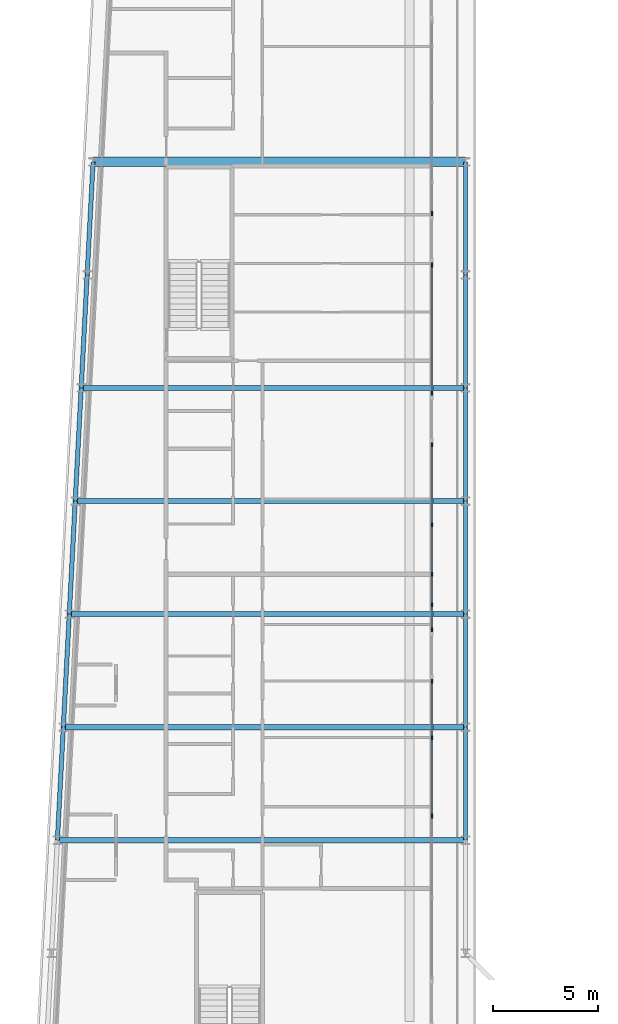
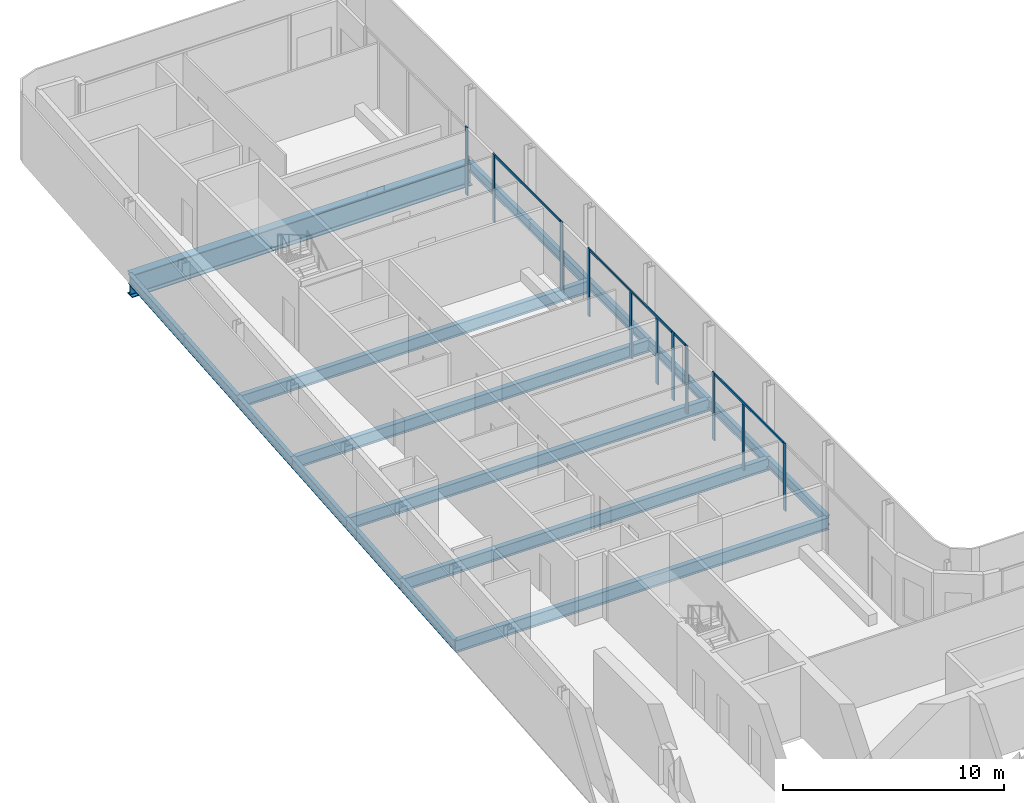
# One storey, part 7 of 21: 18 beams, 15 members, 5 elements without a shape of their own.
"""IFC4 building model written with IfcOpenShell, lengths in metres."""

from ifc_helpers import new_model, si_unit, direction, frame, origin, origin_2d, place, context, subcontext, project, spatial, rectangle, i_section, extrude, material, layer, layer_set, material_profile, profile_set, type_object, element, aggregate, save


model = new_model("IFC4")

# Units and contexts
model_context = context("Model", 3, precision=1e-05, world=origin(), true_north=direction((0.0, 1.0)))
body_context = subcontext(model_context, "Body", "Model", "MODEL_VIEW")
ifc_project = project(units=[si_unit("LENGTHUNIT", "METRE"), si_unit("AREAUNIT", "SQUARE_METRE"), si_unit("VOLUMEUNIT", "CUBIC_METRE"), si_unit("PLANEANGLEUNIT", "RADIAN"), si_unit("MASSUNIT", "GRAM", prefix="KILO")], contexts=[model_context])

# Site, building, storey
site_placement = place(None, origin())
site = spatial("IfcSite", under=ifc_project, at=site_placement, CompositionType="ELEMENT")
building_placement = place(site_placement, origin())
building = spatial("IfcBuilding", under=site, at=building_placement, Name="Kheshtan School and Residences Tower", CompositionType="ELEMENT")
storey_placement = place(building_placement, frame((0.0, 0.0, 309.800048828125)))
storey = spatial("IfcBuildingStorey", under=building, at=storey_placement, Name="L73", CompositionType="ELEMENT", Elevation=309.800048828125)

# Beams
ifc_material_1 = material(Name="Steel ASTM A992 Grade 50", Category="steel")
ifc_material_profile_1 = material_profile(ifc_material_1, i_section(OverallWidth=0.2529296875, OverallDepth=0.677978515625, WebThickness=0.01171875, FlangeThickness=0.016357421875, FilletRadius=0.0146484375, at=origin_2d()), Name="W690x125")
ifc_profile_set_1 = profile_set([ifc_material_profile_1], Name="Steel ASTM A992 Grade 50")
beam_type_1 = type_object("IfcBeamType", Name="Beam FB6 W690x125 ASTM A992 Grade 50", PredefinedType="BEAM", material=ifc_profile_set_1)
beam_1_placement = place(storey_placement, frame((47.60009765625, 78.0, -0.489013671875), z_axis=(-1.0, 0.0, 0.0), x_axis=(0.0, -1.0, 0.0)))
element("IfcBeam", 1, at=beam_1_placement, inside=storey, type_object=beam_type_1, Name="Floor beam C089", PredefinedType="BEAM", context=body_context, shape_type="SweptSolid", body=[
    extrude(i_section(OverallWidth=0.2529296875, OverallDepth=0.677978515625, WebThickness=0.01171875, FlangeThickness=0.016357421875, FilletRadius=0.0146484375, at=origin_2d()), origin(), (0.0, 0.0, 1.0), 18.357177734375),
])
beam_2_placement = place(storey_placement, frame((47.60009765625, 67.199951171875, -0.489013671875), z_axis=(-1.0, 0.0, 0.0), x_axis=(0.0, -1.0, 0.0)))
element("IfcBeam", 2, at=beam_2_placement, inside=storey, type_object=beam_type_1, Name="Floor beam C085", PredefinedType="BEAM", context=body_context, shape_type="SweptSolid", body=[
    extrude(i_section(OverallWidth=0.2529296875, OverallDepth=0.677978515625, WebThickness=0.01171875, FlangeThickness=0.016357421875, FilletRadius=0.0146484375, at=origin_2d()), origin(), (0.0, 0.0, 1.0), 18.926025390625),
])
beam_3_placement = place(storey_placement, frame((47.60009765625, 56.39990234375, -0.489013671875), z_axis=(-1.0, 0.0, 0.0), x_axis=(0.0, -1.0, 0.0)))
element("IfcBeam", 3, at=beam_3_placement, inside=storey, type_object=beam_type_1, Name="Floor beam C081", PredefinedType="BEAM", context=body_context, shape_type="SweptSolid", body=[
    extrude(i_section(OverallWidth=0.2529296875, OverallDepth=0.677978515625, WebThickness=0.01171875, FlangeThickness=0.016357421875, FilletRadius=0.0146484375, at=origin_2d()), origin(), (0.0, 0.0, 1.0), 19.494140625),
])
beam_4_placement = place(storey_placement, frame((28.389892578125, 61.800048828125, -0.489013671875), z_axis=(1.0, 0.0, 0.0), x_axis=(0.0, 1.0, 0.0)))
element("IfcBeam", 4, at=beam_4_placement, inside=storey, type_object=beam_type_1, Name="Floor beam C082", PredefinedType="BEAM", context=body_context, shape_type="SweptSolid", body=[
    extrude(i_section(OverallWidth=0.2529296875, OverallDepth=0.677978515625, WebThickness=0.01171875, FlangeThickness=0.016357421875, FilletRadius=0.0146484375, at=origin_2d()), origin(), (0.0, 0.0, 1.0), 19.210205078125),
])
beam_5_placement = place(storey_placement, frame((28.9580078125, 72.60009765625, -0.489013671875), z_axis=(1.0, 0.0, 0.0), x_axis=(0.0, 1.0, 0.0)))
element("IfcBeam", 5, at=beam_5_placement, inside=storey, type_object=beam_type_1, Name="Floor beam C086", PredefinedType="BEAM", context=body_context, shape_type="SweptSolid", body=[
    extrude(i_section(OverallWidth=0.2529296875, OverallDepth=0.677978515625, WebThickness=0.01171875, FlangeThickness=0.016357421875, FilletRadius=0.0146484375, at=origin_2d()), origin(), (0.0, 0.0, 1.0), 18.64208984375),
])
ifc_material_profile_2 = material_profile(ifc_material_1, i_section(OverallWidth=0.208984375, OverallDepth=0.532958984375, WebThickness=0.01025390625, FlangeThickness=0.015625, FilletRadius=0.013916015625, at=origin_2d()), Name="W530x92")
ifc_profile_set_2 = profile_set([ifc_material_profile_2], Name="Steel ASTM A992 Grade 50")
beam_type_2 = type_object("IfcBeamType", Name="Beam SP3 W530x92 ASTM A992 Grade 50", PredefinedType="BEAM", material=ifc_profile_set_2)
beam_6_placement = place(storey_placement, frame((47.60009765625, 88.800048828125, -0.41650390625), z_axis=(0.0, -1.0, 0.0), x_axis=(1.0, 0.0, 0.0)))
element("IfcBeam", 6, at=beam_6_placement, inside=storey, type_object=beam_type_2, Name="Spandrel beam C099-C091", PredefinedType="BEAM", context=body_context, shape_type="SweptSolid", body=[
    extrude(i_section(OverallWidth=0.208984375, OverallDepth=0.532958984375, WebThickness=0.01025390625, FlangeThickness=0.015625, FilletRadius=0.013916015625, at=origin_2d()), origin(), (0.0, 0.0, 1.0), 5.400146484375),
])
for number, where, z_axis, x_axis, name in (
    (7, (47.60009765625, 83.39990234375, -0.41650390625), (0.0, -1.0, 0.0), (1.0, 0.0, 0.0), "Spandrel beam C091-C089"),
    (8, (47.60009765625, 78.0, -0.41650390625), (0.0, -1.0, 0.0), (1.0, 0.0, 0.0), "Spandrel beam C089-C087"),
):
    element("IfcBeam", number, at=place(storey_placement, frame(where, z_axis=z_axis, x_axis=x_axis)), inside=storey, type_object=beam_type_2, Name=name, PredefinedType="BEAM", context=body_context, shape_type="SweptSolid", body=[
        extrude(i_section(OverallWidth=0.208984375, OverallDepth=0.532958984375, WebThickness=0.01025390625, FlangeThickness=0.015625, FilletRadius=0.013916015625, at=origin_2d()), origin(), (0.0, 0.0, 1.0), 5.39990234375),
    ])
beam_7_placement = place(storey_placement, frame((47.60009765625, 72.60009765625, -0.41650390625), z_axis=(0.0, -1.0, 0.0), x_axis=(1.0, 0.0, 0.0)))
element("IfcBeam", 9, at=beam_7_placement, inside=storey, type_object=beam_type_2, Name="Spandrel beam C087-C085", PredefinedType="BEAM", context=body_context, shape_type="SweptSolid", body=[
    extrude(i_section(OverallWidth=0.208984375, OverallDepth=0.532958984375, WebThickness=0.01025390625, FlangeThickness=0.015625, FilletRadius=0.013916015625, at=origin_2d()), origin(), (0.0, 0.0, 1.0), 5.400146484375),
])
beam_8_placement = place(storey_placement, frame((47.60009765625, 67.199951171875, -0.41650390625), z_axis=(0.0, -1.0, 0.0), x_axis=(1.0, 0.0, 0.0)))
element("IfcBeam", 10, at=beam_8_placement, inside=storey, type_object=beam_type_2, Name="Spandrel beam C085-C083", PredefinedType="BEAM", context=body_context, shape_type="SweptSolid", body=[
    extrude(i_section(OverallWidth=0.208984375, OverallDepth=0.532958984375, WebThickness=0.01025390625, FlangeThickness=0.015625, FilletRadius=0.013916015625, at=origin_2d()), origin(), (0.0, 0.0, 1.0), 5.39990234375),
])
beam_9_placement = place(storey_placement, frame((47.60009765625, 61.800048828125, -0.41650390625), z_axis=(0.0, -1.0, 0.0), x_axis=(1.0, 0.0, 0.0)))
element("IfcBeam", 11, at=beam_9_placement, inside=storey, type_object=beam_type_2, Name="Spandrel beam C083-C081", PredefinedType="BEAM", context=body_context, shape_type="SweptSolid", body=[
    extrude(i_section(OverallWidth=0.208984375, OverallDepth=0.532958984375, WebThickness=0.01025390625, FlangeThickness=0.015625, FilletRadius=0.013916015625, at=origin_2d()), origin(), (0.0, 0.0, 1.0), 5.400146484375),
])
beam_10_placement = place(storey_placement, frame((28.10595703125, 56.39990234375, -0.41650390625), z_axis=(0.05250670125, 0.998620571751, 0.0), x_axis=(-0.998620571751, 0.05250670125, 0.0)))
element("IfcBeam", 12, at=beam_10_placement, inside=storey, type_object=beam_type_2, Name="Spandrel beam C080-C082", PredefinedType="BEAM", context=body_context, shape_type="SweptSolid", body=[
    extrude(i_section(OverallWidth=0.208984375, OverallDepth=0.532958984375, WebThickness=0.01025390625, FlangeThickness=0.015625, FilletRadius=0.013916015625, at=origin_2d()), origin(), (0.0, 0.0, 1.0), 5.40771484375),
])
beam_11_placement = place(storey_placement, frame((28.389892578125, 61.800048828125, -0.41650390625), z_axis=(0.052554093665, 0.998618078766, 0.0), x_axis=(-0.998618078766, 0.052554093665, 0.0)))
element("IfcBeam", 13, at=beam_11_placement, inside=storey, type_object=beam_type_2, Name="Spandrel beam C082-C084", PredefinedType="BEAM", context=body_context, shape_type="SweptSolid", body=[
    extrude(i_section(OverallWidth=0.208984375, OverallDepth=0.532958984375, WebThickness=0.01025390625, FlangeThickness=0.015625, FilletRadius=0.013916015625, at=origin_2d()), origin(), (0.0, 0.0, 1.0), 5.407470703125),
])
beam_12_placement = place(storey_placement, frame((28.674072265625, 67.199951171875, -0.41650390625), z_axis=(0.05250670125, 0.998620571751, 0.0), x_axis=(-0.998620571751, 0.05250670125, 0.0)))
element("IfcBeam", 14, at=beam_12_placement, inside=storey, type_object=beam_type_2, Name="Spandrel beam C084-C086", PredefinedType="BEAM", context=body_context, shape_type="SweptSolid", body=[
    extrude(i_section(OverallWidth=0.208984375, OverallDepth=0.532958984375, WebThickness=0.01025390625, FlangeThickness=0.015625, FilletRadius=0.013916015625, at=origin_2d()), origin(), (0.0, 0.0, 1.0), 5.40771484375),
])
for number, where, z_axis, x_axis, name in (
    (15, (28.9580078125, 72.60009765625, -0.41650390625), (0.052689166816, 0.998610961136, 0.0), (-0.998610961136, 0.052689166816, 0.0), "Spandrel beam C086-C088"),
    (16, (29.242919921875, 78.0, -0.41650390625), (0.052554093665, 0.998618078766, 0.0), (-0.998618078766, 0.052554093665, 0.0), "Spandrel beam C088-C090"),
):
    element("IfcBeam", number, at=place(storey_placement, frame(where, z_axis=z_axis, x_axis=x_axis)), inside=storey, type_object=beam_type_2, Name=name, PredefinedType="BEAM", context=body_context, shape_type="SweptSolid", body=[
        extrude(i_section(OverallWidth=0.208984375, OverallDepth=0.532958984375, WebThickness=0.01025390625, FlangeThickness=0.015625, FilletRadius=0.013916015625, at=origin_2d()), origin(), (0.0, 0.0, 1.0), 5.407470703125),
    ])
beam_13_placement = place(storey_placement, frame((29.527099609375, 83.39990234375, -0.41650390625), z_axis=(0.05250670125, 0.998620571751, 0.0), x_axis=(-0.998620571751, 0.05250670125, 0.0)))
element("IfcBeam", 17, at=beam_13_placement, inside=storey, type_object=beam_type_2, Name="Spandrel beam C090-C098", PredefinedType="BEAM", context=body_context, shape_type="SweptSolid", body=[
    extrude(i_section(OverallWidth=0.208984375, OverallDepth=0.532958984375, WebThickness=0.01025390625, FlangeThickness=0.015625, FilletRadius=0.013916015625, at=origin_2d()), origin(), (0.0, 0.0, 1.0), 5.40771484375),
])

# Curtain wall, member
ifc_material_2 = material(Name="Clear low-e glass in thermally broken aluminium frame", Category="aluminium")
ifc_layer = layer(ifc_material_2, 0.199951171875)
ifc_layer_set = layer_set([ifc_layer], Name="Curtain wall CW-L")
curtain_wall_type = type_object("IfcCurtainWallType", Name="Curtain wall CW-L", PredefinedType="NOTDEFINED", material=ifc_layer_set)
curtain_wall_1_placement = place(storey_placement, origin())
curtain_wall_1 = element("IfcCurtainWall", 18, at=curtain_wall_1_placement, inside=storey, type_object=curtain_wall_type, Name="Curtain wall CWL8a", PredefinedType="NOTDEFINED")
ifc_material_3 = material(Name="Thermally broken aluminium, dark bronze anodised", Category="aluminium")
ifc_material_profile_3 = material_profile(ifc_material_3, rectangle(XDim=0.06005859375, YDim=0.199951171875, at=origin_2d()), Name="CW-L mullion 60x200")
ifc_profile_set_3 = profile_set([ifc_material_profile_3], Name="Thermally broken aluminium, dark bronze anodised")
member_type_1 = type_object("IfcMemberType", Name="CW-L mullion 60x200", PredefinedType="MULLION", material=ifc_profile_set_3)
member_1_placement = place(storey_placement, frame((46.0, 86.3359375, 0.0), z_axis=(0.0, 0.0, 1.0), x_axis=(1.0, 0.0, 0.0)))
member_1 = element("IfcMember", 19, at=member_1_placement, type_object=member_type_1, Name="CWL8a mullion 2", PredefinedType="MULLION", context=body_context, shape_type="SweptSolid", body=[
    extrude(rectangle(XDim=0.06005859375, YDim=0.199951171875, at=origin_2d()), origin(), (0.0, 0.0, 1.0), 3.75),
])
aggregate(curtain_wall_1, [member_1])

# Curtain wall, members
curtain_wall_2_placement = place(storey_placement, origin())
curtain_wall_2 = element("IfcCurtainWall", 20, at=curtain_wall_2_placement, inside=storey, type_object=curtain_wall_type, Name="Curtain wall CWL8d", PredefinedType="NOTDEFINED")
member_2_placement = place(storey_placement, frame((46.0, 83.8759765625, 0.0), z_axis=(0.0, 0.0, 1.0), x_axis=(1.0, 0.0, 0.0)))
member_2 = element("IfcMember", 21, at=member_2_placement, type_object=member_type_1, Name="CWL8d mullion 1", PredefinedType="MULLION", context=body_context, shape_type="SweptSolid", body=[
    extrude(rectangle(XDim=0.06005859375, YDim=0.199951171875, at=origin_2d()), origin(), (0.0, 0.0, 1.0), 3.75),
])
member_3_placement = place(storey_placement, frame((46.0, 77.741943359375, 0.0), z_axis=(0.0, 0.0, 1.0), x_axis=(1.0, 0.0, 0.0)))
member_3 = element("IfcMember", 22, at=member_3_placement, type_object=member_type_1, Name="CWL8d mullion 2", PredefinedType="MULLION", context=body_context, shape_type="SweptSolid", body=[
    extrude(rectangle(XDim=0.06005859375, YDim=0.199951171875, at=origin_2d()), origin(), (0.0, 0.0, 1.0), 3.75),
])

curtain_wall_3_placement = place(storey_placement, origin())
curtain_wall_3 = element("IfcCurtainWall", 23, at=curtain_wall_3_placement, inside=storey, type_object=curtain_wall_type, Name="Curtain wall CWL8c", PredefinedType="NOTDEFINED")
member_4_placement = place(storey_placement, frame((46.0, 75.281982421875, 0.0), z_axis=(0.0, 0.0, 1.0), x_axis=(1.0, 0.0, 0.0)))
member_4 = element("IfcMember", 24, at=member_4_placement, type_object=member_type_1, Name="CWL8c mullion 1", PredefinedType="MULLION", context=body_context, shape_type="SweptSolid", body=[
    extrude(rectangle(XDim=0.06005859375, YDim=0.199951171875, at=origin_2d()), origin(), (0.0, 0.0, 1.0), 3.75),
])
member_5_placement = place(storey_placement, frame((46.0, 71.465087890625, 0.0), z_axis=(0.0, 0.0, 1.0), x_axis=(1.0, 0.0, 0.0)))
member_5 = element("IfcMember", 25, at=member_5_placement, type_object=member_type_1, Name="CWL8c mullion 2", PredefinedType="MULLION", context=body_context, shape_type="SweptSolid", body=[
    extrude(rectangle(XDim=0.06005859375, YDim=0.199951171875, at=origin_2d()), origin(), (0.0, 0.0, 1.0), 3.6298828125),
])
member_6_placement = place(storey_placement, frame((46.0, 69.10009765625, 0.0), z_axis=(0.0, 0.0, 1.0), x_axis=(1.0, 0.0, 0.0)))
member_6 = element("IfcMember", 26, at=member_6_placement, type_object=member_type_1, Name="CWL8c mullion 3", PredefinedType="MULLION", context=body_context, shape_type="SweptSolid", body=[
    extrude(rectangle(XDim=0.06005859375, YDim=0.199951171875, at=origin_2d()), origin(), (0.0, 0.0, 1.0), 3.6298828125),
])
member_7_placement = place(storey_placement, frame((46.0, 67.64794921875, 0.0), z_axis=(0.0, 0.0, 1.0), x_axis=(1.0, 0.0, 0.0)))
member_7 = element("IfcMember", 27, at=member_7_placement, type_object=member_type_1, Name="CWL8c mullion 4", PredefinedType="MULLION", context=body_context, shape_type="SweptSolid", body=[
    extrude(rectangle(XDim=0.06005859375, YDim=0.199951171875, at=origin_2d()), origin(), (0.0, 0.0, 1.0), 3.75),
])

# Curtain wall, member
curtain_wall_4_placement = place(storey_placement, origin())
curtain_wall_4 = element("IfcCurtainWall", 28, at=curtain_wall_4_placement, inside=storey, type_object=curtain_wall_type, Name="Curtain wall CWL8g", PredefinedType="NOTDEFINED")
member_8_placement = place(storey_placement, frame((46.0, 66.447998046875, 0.0), z_axis=(0.0, 0.0, 1.0), x_axis=(1.0, 0.0, 0.0)))
member_8 = element("IfcMember", 29, at=member_8_placement, type_object=member_type_1, Name="CWL8g mullion 2", PredefinedType="MULLION", context=body_context, shape_type="SweptSolid", body=[
    extrude(rectangle(XDim=0.06005859375, YDim=0.199951171875, at=origin_2d()), origin(), (0.0, 0.0, 1.0), 3.75),
])

# Curtain wall, members
curtain_wall_5_placement = place(storey_placement, origin())
curtain_wall_5 = element("IfcCurtainWall", 30, at=curtain_wall_5_placement, inside=storey, type_object=curtain_wall_type, Name="Curtain wall CWL8k", PredefinedType="NOTDEFINED")
member_9_placement = place(storey_placement, frame((46.0, 63.988037109375, 0.0), z_axis=(0.0, 0.0, 1.0), x_axis=(1.0, 0.0, 0.0)))
member_9 = element("IfcMember", 31, at=member_9_placement, type_object=member_type_1, Name="CWL8k mullion 1", PredefinedType="MULLION", context=body_context, shape_type="SweptSolid", body=[
    extrude(rectangle(XDim=0.06005859375, YDim=0.199951171875, at=origin_2d()), origin(), (0.0, 0.0, 1.0), 3.75),
])
member_10_placement = place(storey_placement, frame((46.0, 61.300048828125, 0.0), z_axis=(0.0, 0.0, 1.0), x_axis=(1.0, 0.0, 0.0)))
member_10 = element("IfcMember", 32, at=member_10_placement, type_object=member_type_1, Name="CWL8k mullion 2", PredefinedType="MULLION", context=body_context, shape_type="SweptSolid", body=[
    extrude(rectangle(XDim=0.06005859375, YDim=0.199951171875, at=origin_2d()), origin(), (0.0, 0.0, 1.0), 3.6298828125),
])
member_11_placement = place(storey_placement, frame((46.0, 57.553955078125, 0.0), z_axis=(0.0, 0.0, 1.0), x_axis=(1.0, 0.0, 0.0)))
member_11 = element("IfcMember", 33, at=member_11_placement, type_object=member_type_1, Name="CWL8k mullion 3", PredefinedType="MULLION", context=body_context, shape_type="SweptSolid", body=[
    extrude(rectangle(XDim=0.06005859375, YDim=0.199951171875, at=origin_2d()), origin(), (0.0, 0.0, 1.0), 3.75),
])

# Member
ifc_material_profile_4 = material_profile(ifc_material_3, rectangle(XDim=0.06005859375, YDim=0.1201171875, at=origin_2d()), Name="CW-L transom 60x120")
ifc_profile_set_4 = profile_set([ifc_material_profile_4], Name="Thermally broken aluminium, dark bronze anodised")
member_type_2 = type_object("IfcMemberType", Name="CW-L transom 60x120", PredefinedType="USERDEFINED", material=ifc_profile_set_4)
member_12_placement = place(storey_placement, frame((46.0, 83.845947265625, 3.68994140625), z_axis=(0.0, -1.0, 0.0), x_axis=(1.0, 0.0, 0.0)))
member_12 = element("IfcMember", 34, at=member_12_placement, type_object=member_type_2, Name="CWL8d transom 1", ObjectType="TRANSOM", PredefinedType="USERDEFINED", context=body_context, shape_type="SweptSolid", body=[
    extrude(rectangle(XDim=0.06005859375, YDim=0.1201171875, at=origin_2d()), origin(), (0.0, 0.0, 1.0), 6.073974609375),
])

aggregate(curtain_wall_2, [member_2, member_3, member_12])

member_13_placement = place(storey_placement, frame((46.0, 75.251953125, 3.68994140625), z_axis=(0.0, -1.0, 0.0), x_axis=(1.0, 0.0, 0.0)))
member_13 = element("IfcMember", 35, at=member_13_placement, type_object=member_type_2, Name="CWL8c transom 1", ObjectType="TRANSOM", PredefinedType="USERDEFINED", context=body_context, shape_type="SweptSolid", body=[
    extrude(rectangle(XDim=0.06005859375, YDim=0.1201171875, at=origin_2d()), origin(), (0.0, 0.0, 1.0), 7.573974609375),
])

aggregate(curtain_wall_3, [member_4, member_5, member_6, member_7, member_13])

member_14_placement = place(storey_placement, frame((46.0, 67.617919921875, 3.68994140625), z_axis=(0.0, -1.0, 0.0), x_axis=(1.0, 0.0, 0.0)))
member_14 = element("IfcMember", 36, at=member_14_placement, type_object=member_type_2, Name="CWL8g transom 1", ObjectType="TRANSOM", PredefinedType="USERDEFINED", context=body_context, shape_type="SweptSolid", body=[
    extrude(rectangle(XDim=0.06005859375, YDim=0.1201171875, at=origin_2d()), origin(), (0.0, 0.0, 1.0), 1.139892578125),
])

aggregate(curtain_wall_4, [member_8, member_14])

member_15_placement = place(storey_placement, frame((46.0, 63.9580078125, 3.68994140625), z_axis=(0.0, -1.0, 0.0), x_axis=(1.0, 0.0, 0.0)))
member_15 = element("IfcMember", 37, at=member_15_placement, type_object=member_type_2, Name="CWL8k transom 1", ObjectType="TRANSOM", PredefinedType="USERDEFINED", context=body_context, shape_type="SweptSolid", body=[
    extrude(rectangle(XDim=0.06005859375, YDim=0.1201171875, at=origin_2d()), origin(), (0.0, 0.0, 1.0), 6.3740234375),
])

aggregate(curtain_wall_5, [member_9, member_10, member_11, member_15])

# Beam
ifc_material_profile_5 = material_profile(ifc_material_1, i_section(OverallWidth=0.449951171875, OverallDepth=1.25, WebThickness=0.02490234375, FlangeThickness=0.044921875, FilletRadius=0.03759765625, at=origin_2d()), Name="WWF1250x546")
ifc_profile_set_5 = profile_set([ifc_material_profile_5], Name="Steel ASTM A992 Grade 50")
beam_type_3 = type_object("IfcBeamType", Name="Transfer girder TG4 WWF1250x546 ASTM A992 Grade 50", PredefinedType="BEAM", material=ifc_profile_set_5)
beam_14_placement = place(storey_placement, frame((29.81103515625, 88.800048828125, -0.775146484375), z_axis=(1.0, 0.0, 0.0), x_axis=(0.0, 1.0, 0.0)))
element("IfcBeam", 38, at=beam_14_placement, inside=storey, type_object=beam_type_3, Name="Transfer girder C098-C099", PredefinedType="BEAM", context=body_context, shape_type="SweptSolid", body=[
    extrude(i_section(OverallWidth=0.449951171875, OverallDepth=1.25, WebThickness=0.02490234375, FlangeThickness=0.044921875, FilletRadius=0.03759765625, at=origin_2d()), origin(), (0.0, 0.0, 1.0), 17.7890625),
])

save(model, "model.ifc")
